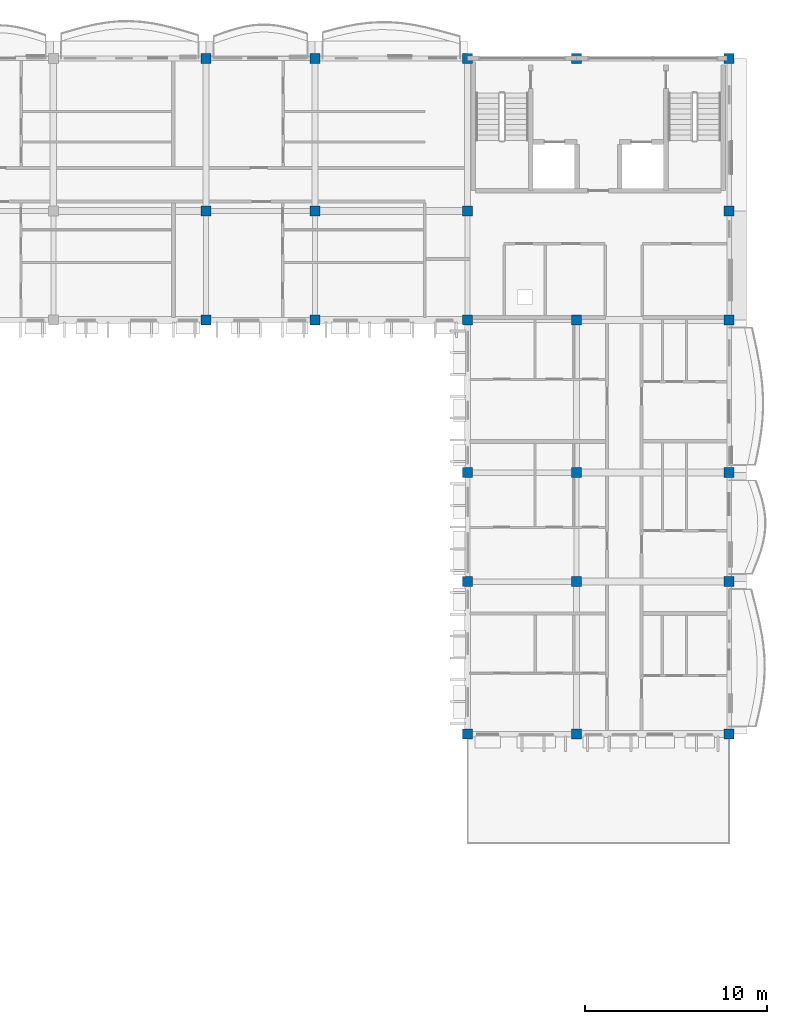
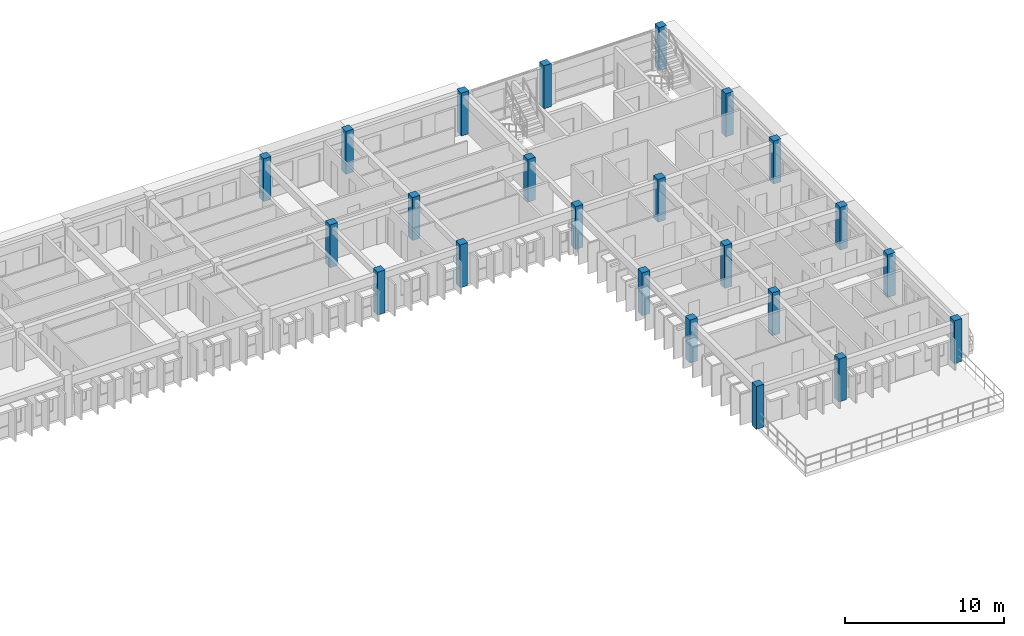
# One storey, part 2 of 45: 23 columns.
"""IFC4 building model written with IfcOpenShell, lengths in metres."""

from ifc_helpers import new_model, si_unit, direction, frame, origin, origin_2d, place, context, subcontext, project, spatial, rectangle, extrude, material, material_profile, profile_set, type_object, element, save


model = new_model("IFC4")

# Units and contexts
model_context = context("Model", 3, precision=1e-05, world=origin(), true_north=direction((0.0, 1.0)))
body_context = subcontext(model_context, "Body", "Model", "MODEL_VIEW")
ifc_project = project(units=[si_unit("LENGTHUNIT", "METRE"), si_unit("AREAUNIT", "SQUARE_METRE"), si_unit("VOLUMEUNIT", "CUBIC_METRE"), si_unit("PLANEANGLEUNIT", "RADIAN"), si_unit("MASSUNIT", "GRAM", prefix="KILO"), si_unit("THERMODYNAMICTEMPERATUREUNIT", "KELVIN")], contexts=[model_context])

# Site, building, storey
site_placement = place(None, origin())
site = spatial("IfcSite", under=ifc_project, at=site_placement, CompositionType="ELEMENT")
building_placement = place(site_placement, origin())
building = spatial("IfcBuilding", under=site, at=building_placement, Name="Thalorik Housing Commons", CompositionType="ELEMENT")
storey_placement = place(building_placement, frame((0.0, 0.0, 34.5)))
storey = spatial("IfcBuildingStorey", under=building, at=storey_placement, Name="L10", CompositionType="ELEMENT", Elevation=34.5)

# Columns
ifc_material = material(Name="Precast concrete C40/50", Category="concrete")
ifc_material_profile = material_profile(ifc_material, rectangle(XDim=0.550048828125, YDim=0.550048828125, at=origin_2d()), Name="PC 550x550", Category="concrete")
ifc_profile_set = profile_set([ifc_material_profile], Name="Precast concrete C40/50")
column_type = type_object("IfcColumnType", Name="STR-COL-PC550", PredefinedType="COLUMN", material=ifc_profile_set)
for number, where, z_axis, x_axis, name in (
    (1, (138.0, 109.199951171875, 0.0), (0.0, 0.0, 1.0), (1.0, 0.0, 0.0), "L10 Column C-550"),
    (2, (138.0, 115.199951171875, 0.0), (0.0, 0.0, 1.0), (1.0, 0.0, 0.0), "L10 Column C-550"),
    (3, (138.0, 123.60009765625, 0.0), (0.0, 0.0, 1.0), (1.0, 0.0, 0.0), "L10 Column C-550"),
    (4, (144.0, 109.199951171875, 0.0), (0.0, 0.0, 1.0), (1.0, 0.0, 0.0), "L10 Column C-550"),
    (5, (144.0, 115.199951171875, 0.0), (0.0, 0.0, 1.0), (1.0, 0.0, 0.0), "L10 Column C-550"),
    (6, (144.0, 123.60009765625, 0.0), (0.0, 0.0, 1.0), (1.0, 0.0, 0.0), "L10 Column C-550"),
    (7, (152.39990234375, 86.39990234375, 0.0), (0.0, 0.0, 1.0), (1.0, 0.0, 0.0), "L10 Column C-550"),
    (8, (152.39990234375, 94.800048828125, 0.0), (0.0, 0.0, 1.0), (1.0, 0.0, 0.0), "L10 Column C-550"),
    (9, (152.39990234375, 100.800048828125, 0.0), (0.0, 0.0, 1.0), (1.0, 0.0, 0.0), "L10 Column C-550"),
    (10, (152.39990234375, 109.199951171875, 0.0), (0.0, 0.0, 1.0), (1.0, 0.0, 0.0), "L10 Column C-550"),
    (11, (152.39990234375, 115.199951171875, 0.0), (0.0, 0.0, 1.0), (1.0, 0.0, 0.0), "L10 Column C-550"),
    (12, (152.39990234375, 123.60009765625, 0.0), (0.0, 0.0, 1.0), (1.0, 0.0, 0.0), "L10 Column C-550"),
    (13, (158.39990234375, 86.39990234375, 0.0), (0.0, 0.0, 1.0), (1.0, 0.0, 0.0), "L10 Column C-550"),
    (14, (158.39990234375, 94.800048828125, 0.0), (0.0, 0.0, 1.0), (1.0, 0.0, 0.0), "L10 Column C-550"),
    (15, (158.39990234375, 100.800048828125, 0.0), (0.0, 0.0, 1.0), (1.0, 0.0, 0.0), "L10 Column C-550"),
    (16, (158.39990234375, 109.199951171875, 0.0), (0.0, 0.0, 1.0), (1.0, 0.0, 0.0), "L10 Column C-550"),
    (17, (158.39990234375, 123.60009765625, 0.0), (0.0, 0.0, 1.0), (1.0, 0.0, 0.0), "L10 Column C-550"),
    (18, (166.800048828125, 86.39990234375, 0.0), (0.0, 0.0, 1.0), (1.0, 0.0, 0.0), "L10 Column C-550"),
    (19, (166.800048828125, 94.800048828125, 0.0), (0.0, 0.0, 1.0), (1.0, 0.0, 0.0), "L10 Column C-550"),
    (20, (166.800048828125, 100.800048828125, 0.0), (0.0, 0.0, 1.0), (1.0, 0.0, 0.0), "L10 Column C-550"),
    (21, (166.800048828125, 109.199951171875, 0.0), (0.0, 0.0, 1.0), (1.0, 0.0, 0.0), "L10 Column C-550"),
    (22, (166.800048828125, 115.199951171875, 0.0), (0.0, 0.0, 1.0), (1.0, 0.0, 0.0), "L10 Column C-550"),
    (23, (166.800048828125, 123.60009765625, 0.0), (0.0, 0.0, 1.0), (1.0, 0.0, 0.0), "L10 Column C-550"),
):
    element("IfcColumn", number, at=place(storey_placement, frame(where, z_axis=z_axis, x_axis=x_axis)), inside=storey, type_object=column_type, Name=name, PredefinedType="COLUMN", context=body_context, shape_type="SweptSolid", body=[
        extrude(rectangle(XDim=0.550048828125, YDim=0.550048828125, at=origin_2d()), origin(), (0.0, 0.0, 1.0), 3.300048828125),
    ])

save(model, "model.ifc")
